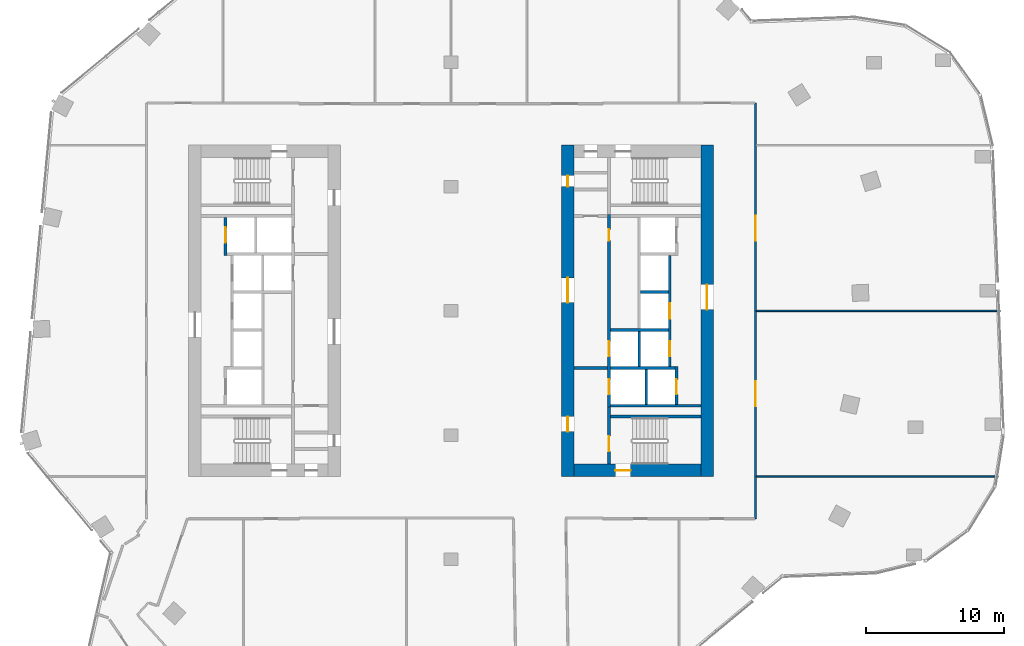
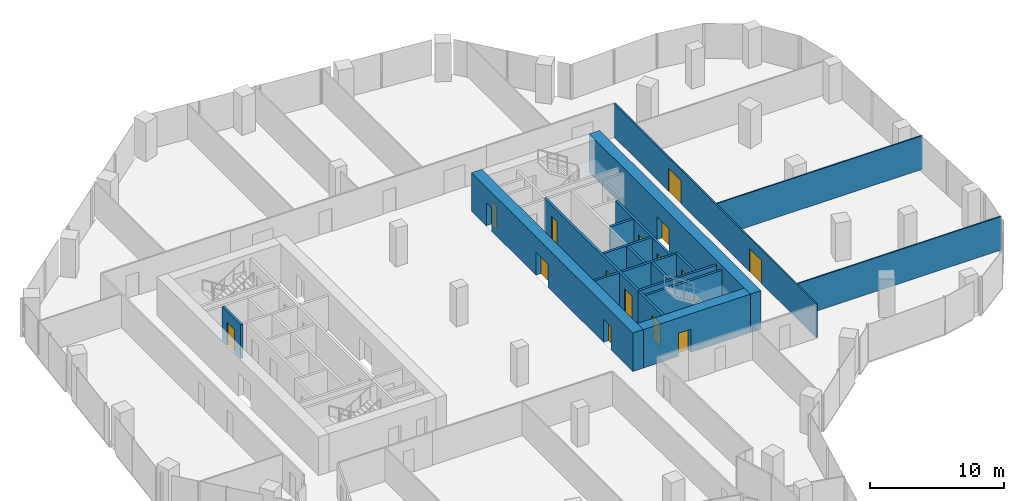
# One storey, part 21 of 24: 19 walls, 15 doors, 15 openings.
"""IFC4 building model written with IfcOpenShell, lengths in metres."""

from ifc_helpers import new_model, si_unit, direction, frame, frame_2d, origin, place, context, subcontext, project, spatial, rectangle, extrude, material, layer, layer_set, type_object, element, fill, save


model = new_model("IFC4")

# Units and contexts
model_context = context("Model", 3, precision=1e-05, world=origin(), true_north=direction((0.0, 1.0)))
body_context = subcontext(model_context, "Body", "Model", "MODEL_VIEW")
ifc_project = project(units=[si_unit("LENGTHUNIT", "METRE"), si_unit("AREAUNIT", "SQUARE_METRE"), si_unit("VOLUMEUNIT", "CUBIC_METRE"), si_unit("PLANEANGLEUNIT", "RADIAN"), si_unit("MASSUNIT", "GRAM", prefix="KILO")], contexts=[model_context])

# Site, building, storey
site_placement = place(None, origin())
site = spatial("IfcSite", under=ifc_project, at=site_placement, CompositionType="ELEMENT")
building_placement = place(site_placement, origin())
building = spatial("IfcBuilding", under=site, at=building_placement, Name="Orlundy Tower", CompositionType="ELEMENT")
storey_placement = place(building_placement, frame((0.0, 0.0, 177.60009765625)))
storey = spatial("IfcBuildingStorey", under=building, at=storey_placement, Name="L46", CompositionType="ELEMENT", Elevation=177.60009765625)

# Wall, opening, door
ifc_material_1 = material(Name="Concrete C70/85", Category="concrete")
ifc_layer_1 = layer(ifc_material_1, 0.89990234375)
ifc_layer_set_1 = layer_set([ifc_layer_1], Name="CORE WALL 900 C70/85")
wall_type_1 = type_object("IfcWallType", Name="CORE WALL 900 C70/85", PredefinedType="SHEAR", material=ifc_layer_set_1)
wall_1_placement = place(storey_placement, frame((8.89990234375, -11.550048828125, 0.0), z_axis=(0.0, 0.0, 1.0), x_axis=(1.0, 0.0, 0.0)))
wall_1 = element("IfcWall", 1, at=wall_1_placement, inside=storey, type_object=wall_type_1, Name="Core wall E-S L46", PredefinedType="SHEAR", context=body_context, shape_type="SweptSolid", body=[
    extrude(rectangle(XDim=9.2001953125, YDim=0.89990234375, at=frame_2d((4.60009765625, 0.0))), origin(), (0.0, 0.0, 1.0), 3.5),
])
opening_1_placement = place(wall_1_placement, frame((3.0, 0.0, 0.0)))
opening_1 = element("IfcOpeningElement", 2, at=opening_1_placement, cuts=wall_1, Name="Opening 35060", PredefinedType="OPENING", context=body_context, shape_type="SweptSolid", body=[
    extrude(rectangle(XDim=1.10009765625, YDim=2.10009765625, at=frame_2d((0.550048828125, 1.050048828125))), frame((0.0, 0.4599609375, 0.0), z_axis=(0.0, -1.0, 0.0), x_axis=(1.0, 0.0, 0.0)), (0.0, 0.0, 1.0), 0.919921875),
])
ifc_material_2 = material(Name="Steel door set", Category="steel")
door_type_1 = type_object("IfcDoorType", Name="Stair Door 1100x2100", OperationType="SINGLE_SWING_LEFT", PredefinedType="DOOR", material=ifc_material_2)
door_1_placement = place(opening_1_placement, origin())
door_1 = element("IfcDoor", 3, at=door_1_placement, inside=storey, type_object=door_type_1, Name="Stair door 35060", OperationType="SINGLE_SWING_LEFT", OverallHeight=2.10009765625, OverallWidth=1.10009765625, PredefinedType="DOOR", context=body_context, shape_type="SweptSolid", body=[
    extrude(rectangle(XDim=1.10009765625, YDim=2.10009765625, at=frame_2d((0.550048828125, 1.050048828125))), frame((0.0, 0.02490234375, 0.0), z_axis=(0.0, -1.0, 0.0), x_axis=(1.0, 0.0, 0.0)), (0.0, 0.0, 1.0), 0.050048828125),
])
fill(opening_1, door_1)

# Wall, openings, doors
wall_2_placement = place(storey_placement, frame((8.449951171875, -12.0, 0.0), z_axis=(0.0, 0.0, 1.0), x_axis=(0.0, 1.0, 0.0)))
wall_2 = element("IfcWall", 4, at=wall_2_placement, inside=storey, type_object=wall_type_1, Name="Core wall E-W L46", PredefinedType="SHEAR", context=body_context, shape_type="SweptSolid", body=[
    extrude(rectangle(XDim=24.0, YDim=0.89990234375, at=frame_2d((12.0, 0.0))), origin(), (0.0, 0.0, 1.0), 3.5),
])
opening_2_placement = place(wall_2_placement, frame((12.60009765625, 0.0, 0.0)))
opening_2 = element("IfcOpeningElement", 5, at=opening_2_placement, cuts=wall_2, Name="Opening 35057", PredefinedType="OPENING", context=body_context, shape_type="SweptSolid", body=[
    extrude(rectangle(XDim=1.800048828125, YDim=2.10009765625, at=frame_2d((0.89990234375, 1.050048828125))), frame((0.0, 0.4599609375, 0.0), z_axis=(0.0, -1.0, 0.0), x_axis=(1.0, 0.0, 0.0)), (0.0, 0.0, 1.0), 0.919921875),
])
opening_3_placement = place(wall_2_placement, frame((3.25, 0.0, 0.0)))
opening_3 = element("IfcOpeningElement", 6, at=opening_3_placement, cuts=wall_2, Name="Opening 35059", PredefinedType="OPENING", context=body_context, shape_type="SweptSolid", body=[
    extrude(rectangle(XDim=1.10009765625, YDim=2.10009765625, at=frame_2d((0.550048828125, 1.050048828125))), frame((0.0, 0.4599609375, 0.0), z_axis=(0.0, -1.0, 0.0), x_axis=(1.0, 0.0, 0.0)), (0.0, 0.0, 1.0), 0.919921875),
])
opening_4_placement = place(wall_2_placement, frame((21.0, 0.0, 0.0)))
opening_4 = element("IfcOpeningElement", 7, at=opening_4_placement, cuts=wall_2, Name="Opening 35064", PredefinedType="OPENING", context=body_context, shape_type="SweptSolid", body=[
    extrude(rectangle(XDim=0.800048828125, YDim=2.10009765625, at=frame_2d((0.39990234375, 1.050048828125))), frame((0.0, 0.4599609375, 0.0), z_axis=(0.0, -1.0, 0.0), x_axis=(1.0, 0.0, 0.0)), (0.0, 0.0, 1.0), 0.919921875),
])
ifc_material_3 = material(Name="Steel door set", Category="steel")
door_type_2 = type_object("IfcDoorType", Name="Fire-fighting Lobby Door 1100x2100", OperationType="SINGLE_SWING_LEFT", PredefinedType="DOOR", material=ifc_material_3)
door_2_placement = place(opening_3_placement, origin())
door_2 = element("IfcDoor", 8, at=door_2_placement, inside=storey, type_object=door_type_2, Name="Fire-fighting lobby door 35059", OperationType="SINGLE_SWING_LEFT", OverallHeight=2.10009765625, OverallWidth=1.10009765625, PredefinedType="DOOR", context=body_context, shape_type="SweptSolid", body=[
    extrude(rectangle(XDim=1.10009765625, YDim=2.10009765625, at=frame_2d((0.550048828125, 1.050048828125))), frame((0.0, 0.02490234375, 0.0), z_axis=(0.0, -1.0, 0.0), x_axis=(1.0, 0.0, 0.0)), (0.0, 0.0, 1.0), 0.050048828125),
])
fill(opening_3, door_2)
ifc_material_4 = material(Name="Timber door set", Category="wood")
door_type_3 = type_object("IfcDoorType", Name="Lobby Door 1800x2100", OperationType="DOUBLE_DOOR_DOUBLE_SWING", PredefinedType="DOOR", material=ifc_material_4)
door_3_placement = place(opening_2_placement, origin())
door_3 = element("IfcDoor", 9, at=door_3_placement, inside=storey, type_object=door_type_3, Name="Lift lobby door 35057", OperationType="SINGLE_SWING_RIGHT", OverallHeight=2.10009765625, OverallWidth=1.800048828125, PredefinedType="DOOR", context=body_context, shape_type="SweptSolid", body=[
    extrude(rectangle(XDim=1.800048828125, YDim=2.10009765625, at=frame_2d((0.89990234375, 1.050048828125))), frame((0.0, 0.02490234375, 0.0), z_axis=(0.0, -1.0, 0.0), x_axis=(1.0, 0.0, 0.0)), (0.0, 0.0, 1.0), 0.050048828125),
])
fill(opening_2, door_3)
ifc_material_5 = material(Name="Timber door set", Category="wood")
door_type_4 = type_object("IfcDoorType", Name="Riser Door 800x2100", OperationType="SINGLE_SWING_LEFT", PredefinedType="DOOR", material=ifc_material_5)
door_4_placement = place(opening_4_placement, origin())
door_4 = element("IfcDoor", 10, at=door_4_placement, inside=storey, type_object=door_type_4, Name="Door 35064", OperationType="SINGLE_SWING_RIGHT", OverallHeight=2.10009765625, OverallWidth=0.800048828125, PredefinedType="DOOR", context=body_context, shape_type="SweptSolid", body=[
    extrude(rectangle(XDim=0.800048828125, YDim=2.10009765625, at=frame_2d((0.39990234375, 1.050048828125))), frame((0.0, 0.02490234375, 0.0), z_axis=(0.0, -1.0, 0.0), x_axis=(1.0, 0.0, 0.0)), (0.0, 0.0, 1.0), 0.050048828125),
])
fill(opening_4, door_4)

# Wall, opening, door
wall_3_placement = place(storey_placement, frame((18.550048828125, -12.0, 0.0), z_axis=(0.0, 0.0, 1.0), x_axis=(0.0, 1.0, 0.0)))
wall_3 = element("IfcWall", 11, at=wall_3_placement, inside=storey, type_object=wall_type_1, Name="Core wall E-E L46", PredefinedType="SHEAR", context=body_context, shape_type="SweptSolid", body=[
    extrude(rectangle(XDim=24.0, YDim=0.89990234375, at=frame_2d((12.0, 0.0))), origin(), (0.0, 0.0, 1.0), 3.5),
])
opening_5_placement = place(wall_3_placement, frame((12.10009765625, 0.0, 0.0)))
opening_5 = element("IfcOpeningElement", 12, at=opening_5_placement, cuts=wall_3, Name="Opening 35058", PredefinedType="OPENING", context=body_context, shape_type="SweptSolid", body=[
    extrude(rectangle(XDim=1.800048828125, YDim=2.10009765625, at=frame_2d((0.89990234375, 1.050048828125))), frame((0.0, 0.4599609375, 0.0), z_axis=(0.0, -1.0, 0.0), x_axis=(1.0, 0.0, 0.0)), (0.0, 0.0, 1.0), 0.919921875),
])
door_5_placement = place(opening_5_placement, origin())
door_5 = element("IfcDoor", 13, at=door_5_placement, inside=storey, type_object=door_type_3, Name="Lift lobby door 35058", OperationType="SINGLE_SWING_RIGHT", OverallHeight=2.10009765625, OverallWidth=1.800048828125, PredefinedType="DOOR", context=body_context, shape_type="SweptSolid", body=[
    extrude(rectangle(XDim=1.800048828125, YDim=2.10009765625, at=frame_2d((0.89990234375, 1.050048828125))), frame((0.0, 0.02490234375, 0.0), z_axis=(0.0, -1.0, 0.0), x_axis=(1.0, 0.0, 0.0)), (0.0, 0.0, 1.0), 0.050048828125),
])
fill(opening_5, door_5)

# Walls
ifc_material_6 = material(Name="Gypsum board partition")
ifc_layer_2 = layer(ifc_material_6, 0.10009765625)
ifc_layer_set_2 = layer_set([ifc_layer_2], Name="Floor partition 100")
wall_type_2 = type_object("IfcWallType", Name="Floor partition 100", PredefinedType="PARTITIONING", material=ifc_layer_set_2)
wall_4_placement = place(storey_placement, frame((22.113037109375, -12.0, 0.0), z_axis=(0.0, 0.0, 1.0), x_axis=(1.0, 0.0, 0.0)))
element("IfcWall", 14, at=wall_4_placement, inside=storey, type_object=wall_type_2, Name="wall-int-L46-042", PredefinedType="PARTITIONING", context=body_context, shape_type="SweptSolid", body=[
    extrude(rectangle(XDim=17.530029296875, YDim=0.10009765625, at=frame_2d((8.76513671875, 0.0))), origin(), (0.0, 0.0, 1.0), 3.059814453125),
])
wall_5_placement = place(storey_placement, frame((22.113037109375, 0.0, 0.0), z_axis=(0.0, 0.0, 1.0), x_axis=(1.0, 0.0, 0.0)))
element("IfcWall", 15, at=wall_5_placement, inside=storey, type_object=wall_type_2, Name="wall-int-L46-043", PredefinedType="PARTITIONING", context=body_context, shape_type="SweptSolid", body=[
    extrude(rectangle(XDim=17.666015625, YDim=0.10009765625, at=frame_2d((8.8330078125, 0.0))), origin(), (0.0, 0.0, 1.0), 3.059814453125),
])

# Wall, openings, doors
ifc_material_7 = material(Name="Gypsum board partition, double layer")
ifc_layer_3 = layer(ifc_material_7, 0.125)
ifc_layer_set_3 = layer_set([ifc_layer_3], Name="Floor partition 125")
wall_type_3 = type_object("IfcWallType", Name="Floor partition 125", PredefinedType="PARTITIONING", material=ifc_layer_set_3)
wall_6_placement = place(storey_placement, frame((22.051025390625, 15.050048828125, 0.0), z_axis=(0.0, 0.0, 1.0), x_axis=(0.0, -1.0, 0.0)))
wall_6 = element("IfcWall", 16, at=wall_6_placement, inside=storey, type_object=wall_type_3, Name="wall-int-L46-070", PredefinedType="PARTITIONING", context=body_context, shape_type="SweptSolid", body=[
    extrude(rectangle(XDim=30.10009765625, YDim=0.125, at=frame_2d((15.050048828125, 0.0))), origin(), (0.0, 0.0, 1.0), 3.059814453125),
])
opening_6_placement = place(wall_6_placement, frame((20.14990234375, 0.0, 0.0)))
opening_6 = element("IfcOpeningElement", 17, at=opening_6_placement, cuts=wall_6, Name="Opening 35119", PredefinedType="OPENING", context=body_context, shape_type="SweptSolid", body=[
    extrude(rectangle(XDim=1.800048828125, YDim=2.10009765625, at=frame_2d((0.89990234375, 1.050048828125))), frame((0.0, 0.072509765625, 0.0), z_axis=(0.0, -1.0, 0.0), x_axis=(1.0, 0.0, 0.0)), (0.0, 0.0, 1.0), 0.14501953125),
])
opening_7_placement = place(wall_6_placement, frame((8.14990234375, 0.0, 0.0)))
opening_7 = element("IfcOpeningElement", 18, at=opening_7_placement, cuts=wall_6, Name="Opening 35120", PredefinedType="OPENING", context=body_context, shape_type="SweptSolid", body=[
    extrude(rectangle(XDim=1.800048828125, YDim=2.10009765625, at=frame_2d((0.89990234375, 1.050048828125))), frame((0.0, 0.072509765625, 0.0), z_axis=(0.0, -1.0, 0.0), x_axis=(1.0, 0.0, 0.0)), (0.0, 0.0, 1.0), 0.14501953125),
])
ifc_material_8 = material(Name="Timber door leaf", Category="wood")
door_type_5 = type_object("IfcDoorType", Name="Floor door double 1800 FD30S", OperationType="NOTDEFINED", PredefinedType="DOOR", material=ifc_material_8)
door_6_placement = place(opening_6_placement, origin())
door_6 = element("IfcDoor", 19, at=door_6_placement, inside=storey, type_object=door_type_5, Name="Door 35119", OperationType="DOUBLE_DOOR_SINGLE_SWING", OverallHeight=2.10009765625, OverallWidth=1.800048828125, PredefinedType="DOOR", context=body_context, shape_type="SweptSolid", body=[
    extrude(rectangle(XDim=1.800048828125, YDim=2.10009765625, at=frame_2d((0.89990234375, 1.050048828125))), frame((0.0, 0.02490234375, 0.0), z_axis=(0.0, -1.0, 0.0), x_axis=(1.0, 0.0, 0.0)), (0.0, 0.0, 1.0), 0.050048828125),
])
fill(opening_6, door_6)
door_7_placement = place(opening_7_placement, origin())
door_7 = element("IfcDoor", 20, at=door_7_placement, inside=storey, type_object=door_type_5, Name="Door 35120", OperationType="DOUBLE_DOOR_SINGLE_SWING", OverallHeight=2.10009765625, OverallWidth=1.800048828125, PredefinedType="DOOR", context=body_context, shape_type="SweptSolid", body=[
    extrude(rectangle(XDim=1.800048828125, YDim=2.10009765625, at=frame_2d((0.89990234375, 1.050048828125))), frame((0.0, 0.02490234375, 0.0), z_axis=(0.0, -1.0, 0.0), x_axis=(1.0, 0.0, 0.0)), (0.0, 0.0, 1.0), 0.050048828125),
])
fill(opening_7, door_7)

# Wall, opening, door
ifc_material_9 = material(Name="Concrete C40/50", Category="concrete")
ifc_layer_4 = layer(ifc_material_9, 0.199951171875)
ifc_layer_set_4 = layer_set([ifc_layer_4], Name="Load-bearing Shaft Wall 200")
wall_type_4 = type_object("IfcWallType", Name="Load-bearing Shaft Wall 200", PredefinedType="SOLIDWALL", material=ifc_layer_set_4)
wall_7_placement = place(storey_placement, frame((11.43994140625, -6.97509765625, 0.0), z_axis=(0.0, 0.0, 1.0), x_axis=(0.0, -1.0, 0.0)))
wall_7 = element("IfcWall", 21, at=wall_7_placement, inside=storey, type_object=wall_type_4, Name="Shaft wall E35-stair-end-n", PredefinedType="SOLIDWALL", context=body_context, shape_type="SweptSolid", body=[
    extrude(rectangle(XDim=4.125, YDim=0.199951171875, at=frame_2d((2.0625, 0.0))), origin(), (0.0, 0.0, 1.0), 3.079833984375),
])
opening_8_placement = place(wall_7_placement, frame((2.10009765625, 0.0, 0.0)))
opening_8 = element("IfcOpeningElement", 22, at=opening_8_placement, cuts=wall_7, Name="Opening 35062", PredefinedType="OPENING", context=body_context, shape_type="SweptSolid", body=[
    extrude(rectangle(XDim=1.10009765625, YDim=2.10009765625, at=frame_2d((0.550048828125, 1.050048828125))), frame((0.0, 0.110107421875, 0.0), z_axis=(0.0, -1.0, 0.0), x_axis=(1.0, 0.0, 0.0)), (0.0, 0.0, 1.0), 0.22021484375),
])
door_8_placement = place(opening_8_placement, origin())
door_8 = element("IfcDoor", 23, at=door_8_placement, inside=storey, type_object=door_type_2, Name="Fire-fighting lobby to stair door 35062", OperationType="SINGLE_SWING_RIGHT", OverallHeight=2.10009765625, OverallWidth=1.10009765625, PredefinedType="DOOR", context=body_context, shape_type="SweptSolid", body=[
    extrude(rectangle(XDim=1.10009765625, YDim=2.10009765625, at=frame_2d((0.550048828125, 1.050048828125))), frame((0.0, 0.02490234375, 0.0), z_axis=(0.0, -1.0, 0.0), x_axis=(1.0, 0.0, 0.0)), (0.0, 0.0, 1.0), 0.050048828125),
])
fill(opening_8, door_8)

# Walls
wall_8_placement = place(storey_placement, frame((11.5400390625, -7.64990234375, 0.0), z_axis=(0.0, 0.0, 1.0), x_axis=(1.0, 0.0, 0.0)))
element("IfcWall", 24, at=wall_8_placement, inside=storey, type_object=wall_type_4, Name="Shaft wall E35-stair-side-n", PredefinedType="SOLIDWALL", context=body_context, shape_type="SweptSolid", body=[
    extrude(rectangle(XDim=6.56005859375, YDim=0.199951171875, at=frame_2d((3.280029296875, 0.0))), origin(), (0.0, 0.0, 1.0), 3.079833984375),
])
ifc_material_10 = material(Name="Gypsum board partition on steel studs", Category="steel")
ifc_layer_5 = layer(ifc_material_10, 0.199951171875)
ifc_layer_set_5 = layer_set([ifc_layer_5], Name="Partition 200")
wall_type_5 = type_object("IfcWallType", Name="Partition 200", PredefinedType="PARTITIONING", material=ifc_layer_set_5)
wall_9_placement = place(storey_placement, frame((8.89990234375, -4.125, 0.0), z_axis=(0.0, 0.0, 1.0), x_axis=(1.0, 0.0, 0.0)))
element("IfcWall", 25, at=wall_9_placement, inside=storey, type_object=wall_type_5, Name="Partition wall E35-lobby-n", PredefinedType="PARTITIONING", context=body_context, shape_type="SweptSolid", body=[
    extrude(rectangle(XDim=2.440185546875, YDim=0.199951171875, at=frame_2d((1.22021484375, 0.0))), origin(), (0.0, 0.0, 1.0), 3.079833984375),
])

# Wall, opening, door
ifc_material_11 = material(Name="Fire-rated blockwork shaft wall", Category="masonry")
ifc_layer_6 = layer(ifc_material_11, 0.199951171875)
ifc_layer_set_6 = layer_set([ifc_layer_6], Name="Shaft Wall 200")
wall_type_6 = type_object("IfcWallType", Name="Shaft Wall 200", PredefinedType="SOLIDWALL", material=ifc_layer_set_6)
wall_10_placement = place(storey_placement, frame((-16.340087890625, 4.02490234375, 0.0), z_axis=(0.0, 0.0, 1.0), x_axis=(0.0, 1.0, 0.0)))
wall_10 = element("IfcWall", 26, at=wall_10_placement, inside=storey, type_object=wall_type_6, Name="Shaft wall W35-front-o-c", PredefinedType="SOLIDWALL", context=body_context, shape_type="SweptSolid", body=[
    extrude(rectangle(XDim=2.75, YDim=0.199951171875, at=frame_2d((1.375, 0.0))), origin(), (0.0, 0.0, 1.0), 3.079833984375),
])
opening_9_placement = place(wall_10_placement, frame((0.925048828125, 0.0, 0.0)))
opening_9 = element("IfcOpeningElement", 27, at=opening_9_placement, cuts=wall_10, Name="Opening 35006", PredefinedType="OPENING", context=body_context, shape_type="SweptSolid", body=[
    extrude(rectangle(XDim=1.10009765625, YDim=2.10009765625, at=frame_2d((0.550048828125, 1.050048828125))), frame((0.0, 0.110107421875, 0.0), z_axis=(0.0, -1.0, 0.0), x_axis=(1.0, 0.0, 0.0)), (0.0, 0.0, 1.0), 0.22021484375),
])
ifc_material_12 = material(Name="Steel door set", Category="steel")
door_type_6 = type_object("IfcDoorType", Name="Landing Door 1100x2100", OperationType="DOUBLE_DOOR_SLIDING", PredefinedType="DOOR", material=ifc_material_12)
door_9_placement = place(opening_9_placement, origin())
door_9 = element("IfcDoor", 28, at=door_9_placement, inside=storey, type_object=door_type_6, Name="Lift landing door LP-14 35006", OperationType="DOUBLE_DOOR_SLIDING", OverallHeight=2.10009765625, OverallWidth=1.10009765625, PredefinedType="DOOR", context=body_context, shape_type="SweptSolid", body=[
    extrude(rectangle(XDim=1.10009765625, YDim=2.10009765625, at=frame_2d((0.550048828125, 1.050048828125))), frame((0.0, 0.02490234375, 0.0), z_axis=(0.0, -1.0, 0.0), x_axis=(1.0, 0.0, 0.0)), (0.0, 0.0, 1.0), 0.050048828125),
])
fill(opening_9, door_9)

# Walls
wall_11_placement = place(storey_placement, frame((11.5400390625, -6.875, 0.0), z_axis=(0.0, 0.0, 1.0), x_axis=(1.0, 0.0, 0.0)))
element("IfcWall", 29, at=wall_11_placement, inside=storey, type_object=wall_type_6, Name="Shaft wall E35-zone-n", PredefinedType="SOLIDWALL", context=body_context, shape_type="SweptSolid", body=[
    extrude(rectangle(XDim=6.56005859375, YDim=0.199951171875, at=frame_2d((3.280029296875, 0.0))), origin(), (0.0, 0.0, 1.0), 3.079833984375),
])
wall_12_placement = place(storey_placement, frame((13.739990234375, 1.375, 0.0), z_axis=(0.0, 0.0, 1.0), x_axis=(1.0, 0.0, 0.0)))
element("IfcWall", 30, at=wall_12_placement, inside=storey, type_object=wall_type_6, Name="Shaft wall E35-cross-1.375", PredefinedType="SOLIDWALL", context=body_context, shape_type="SweptSolid", body=[
    extrude(rectangle(XDim=2.0, YDim=0.199951171875, at=frame_2d((1.0, 0.0))), origin(), (0.0, 0.0, 1.0), 3.079833984375),
])
wall_13_placement = place(storey_placement, frame((11.5400390625, -1.375, 0.0), z_axis=(0.0, 0.0, 1.0), x_axis=(1.0, 0.0, 0.0)))
element("IfcWall", 31, at=wall_13_placement, inside=storey, type_object=wall_type_6, Name="Shaft wall E35-cross+1.375", PredefinedType="SOLIDWALL", context=body_context, shape_type="SweptSolid", body=[
    extrude(rectangle(XDim=4.199951171875, YDim=0.199951171875, at=frame_2d((2.10009765625, 0.0))), origin(), (0.0, 0.0, 1.0), 3.079833984375),
])
wall_14_placement = place(storey_placement, frame((11.5400390625, -4.125, 0.0), z_axis=(0.0, 0.0, 1.0), x_axis=(1.0, 0.0, 0.0)))
element("IfcWall", 32, at=wall_14_placement, inside=storey, type_object=wall_type_6, Name="Shaft wall E35-cross+4.125", PredefinedType="SOLIDWALL", context=body_context, shape_type="SweptSolid", body=[
    extrude(rectangle(XDim=4.699951171875, YDim=0.199951171875, at=frame_2d((2.35009765625, 0.0))), origin(), (0.0, 0.0, 1.0), 3.079833984375),
])

# Wall, openings, doors
wall_15_placement = place(storey_placement, frame((11.43994140625, 6.97509765625, 0.0), z_axis=(0.0, 0.0, 1.0), x_axis=(0.0, -1.0, 0.0)))
wall_15 = element("IfcWall", 33, at=wall_15_placement, inside=storey, type_object=wall_type_6, Name="Shaft wall E35-front-h", PredefinedType="SOLIDWALL", context=body_context, shape_type="SweptSolid", body=[
    extrude(rectangle(XDim=13.9501953125, YDim=0.199951171875, at=frame_2d((6.97509765625, 0.0))), origin(), (0.0, 0.0, 1.0), 3.079833984375),
])
opening_10_placement = place(wall_15_placement, frame((9.175048828125, 0.0, 0.0)))
opening_10 = element("IfcOpeningElement", 34, at=opening_10_placement, cuts=wall_15, Name="Opening 35052", PredefinedType="OPENING", context=body_context, shape_type="SweptSolid", body=[
    extrude(rectangle(XDim=1.10009765625, YDim=2.10009765625, at=frame_2d((0.550048828125, 1.050048828125))), frame((0.0, 0.110107421875, 0.0), z_axis=(0.0, -1.0, 0.0), x_axis=(1.0, 0.0, 0.0)), (0.0, 0.0, 1.0), 0.22021484375),
])
opening_11_placement = place(wall_15_placement, frame((11.925048828125, 0.0, 0.0)))
opening_11 = element("IfcOpeningElement", 35, at=opening_11_placement, cuts=wall_15, Name="Opening 35054", PredefinedType="OPENING", context=body_context, shape_type="SweptSolid", body=[
    extrude(rectangle(XDim=1.10009765625, YDim=2.10009765625, at=frame_2d((0.550048828125, 1.050048828125))), frame((0.0, 0.110107421875, 0.0), z_axis=(0.0, -1.0, 0.0), x_axis=(1.0, 0.0, 0.0)), (0.0, 0.0, 1.0), 0.22021484375),
])
opening_12_placement = place(wall_15_placement, frame((1.074951171875, 0.0, 0.0)))
opening_12 = element("IfcOpeningElement", 36, at=opening_12_placement, cuts=wall_15, Name="Opening 35056", PredefinedType="OPENING", context=body_context, shape_type="SweptSolid", body=[
    extrude(rectangle(XDim=0.800048828125, YDim=2.10009765625, at=frame_2d((0.39990234375, 1.050048828125))), frame((0.0, 0.110107421875, 0.0), z_axis=(0.0, -1.0, 0.0), x_axis=(1.0, 0.0, 0.0)), (0.0, 0.0, 1.0), 0.22021484375),
])
door_10_placement = place(opening_10_placement, origin())
door_10 = element("IfcDoor", 37, at=door_10_placement, inside=storey, type_object=door_type_6, Name="Lift landing door LP-16 35052", OperationType="DOUBLE_DOOR_SLIDING", OverallHeight=2.10009765625, OverallWidth=1.10009765625, PredefinedType="DOOR", context=body_context, shape_type="SweptSolid", body=[
    extrude(rectangle(XDim=1.10009765625, YDim=2.10009765625, at=frame_2d((0.550048828125, 1.050048828125))), frame((0.0, 0.02490234375, 0.0), z_axis=(0.0, -1.0, 0.0), x_axis=(1.0, 0.0, 0.0)), (0.0, 0.0, 1.0), 0.050048828125),
])
fill(opening_10, door_10)
door_11_placement = place(opening_11_placement, origin())
door_11 = element("IfcDoor", 38, at=door_11_placement, inside=storey, type_object=door_type_6, Name="Lift landing door FL2 35054", OperationType="DOUBLE_DOOR_SLIDING", OverallHeight=2.10009765625, OverallWidth=1.10009765625, PredefinedType="DOOR", context=body_context, shape_type="SweptSolid", body=[
    extrude(rectangle(XDim=1.10009765625, YDim=2.10009765625, at=frame_2d((0.550048828125, 1.050048828125))), frame((0.0, 0.02490234375, 0.0), z_axis=(0.0, -1.0, 0.0), x_axis=(1.0, 0.0, 0.0)), (0.0, 0.0, 1.0), 0.050048828125),
])
fill(opening_11, door_11)
door_12_placement = place(opening_12_placement, origin())
door_12 = element("IfcDoor", 39, at=door_12_placement, inside=storey, type_object=door_type_4, Name="Telecom Room door 35056", OperationType="SINGLE_SWING_LEFT", OverallHeight=2.10009765625, OverallWidth=0.800048828125, PredefinedType="DOOR", context=body_context, shape_type="SweptSolid", body=[
    extrude(rectangle(XDim=0.800048828125, YDim=2.10009765625, at=frame_2d((0.39990234375, 1.050048828125))), frame((0.0, 0.02490234375, 0.0), z_axis=(0.0, -1.0, 0.0), x_axis=(1.0, 0.0, 0.0)), (0.0, 0.0, 1.0), 0.050048828125),
])
fill(opening_12, door_12)

# Walls
for number, where, z_axis, x_axis, name in (
    (40, (13.639892578125, -1.47509765625, 0.0), (0.0, 0.0, 1.0), (0.0, -1.0, 0.0), "Shaft wall E35-mid-a.1"),
    (41, (14.139892578125, -4.22509765625, 0.0), (0.0, 0.0, 1.0), (0.0, -1.0, 0.0), "Shaft wall E35-mid-b"),
):
    element("IfcWall", number, at=place(storey_placement, frame(where, z_axis=z_axis, x_axis=x_axis)), inside=storey, type_object=wall_type_6, Name=name, PredefinedType="SOLIDWALL", context=body_context, shape_type="SweptSolid", body=[
        extrude(rectangle(XDim=2.5498046875, YDim=0.199951171875, at=frame_2d((1.27490234375, 0.0))), origin(), (0.0, 0.0, 1.0), 3.079833984375),
    ])

# Wall, openings, doors
wall_16_placement = place(storey_placement, frame((15.840087890625, 4.02490234375, 0.0), z_axis=(0.0, 0.0, 1.0), x_axis=(0.0, -1.0, 0.0)))
wall_16 = element("IfcWall", 42, at=wall_16_placement, inside=storey, type_object=wall_type_6, Name="Shaft wall E35-front-o-b", PredefinedType="SOLIDWALL", context=body_context, shape_type="SweptSolid", body=[
    extrude(rectangle(XDim=8.0498046875, YDim=0.199951171875, at=frame_2d((4.02490234375, 0.0))), origin(), (0.0, 0.0, 1.0), 3.079833984375),
])
opening_13_placement = place(wall_16_placement, frame((3.47509765625, 0.0, 0.0)))
opening_13 = element("IfcOpeningElement", 43, at=opening_13_placement, cuts=wall_16, Name="Opening 35051", PredefinedType="OPENING", context=body_context, shape_type="SweptSolid", body=[
    extrude(rectangle(XDim=1.10009765625, YDim=2.10009765625, at=frame_2d((0.550048828125, 1.050048828125))), frame((0.0, 0.110107421875, 0.0), z_axis=(0.0, -1.0, 0.0), x_axis=(1.0, 0.0, 0.0)), (0.0, 0.0, 1.0), 0.22021484375),
])
opening_14_placement = place(wall_16_placement, frame((6.22509765625, 0.0, 0.0)))
opening_14 = element("IfcOpeningElement", 44, at=opening_14_placement, cuts=wall_16, Name="Opening 35053", PredefinedType="OPENING", context=body_context, shape_type="SweptSolid", body=[
    extrude(rectangle(XDim=1.10009765625, YDim=2.10009765625, at=frame_2d((0.550048828125, 1.050048828125))), frame((0.0, 0.110107421875, 0.0), z_axis=(0.0, -1.0, 0.0), x_axis=(1.0, 0.0, 0.0)), (0.0, 0.0, 1.0), 0.22021484375),
])
door_13_placement = place(opening_13_placement, origin())
door_13 = element("IfcDoor", 45, at=door_13_placement, inside=storey, type_object=door_type_6, Name="Lift landing door LP-15 35051", OperationType="DOUBLE_DOOR_SLIDING", OverallHeight=2.10009765625, OverallWidth=1.10009765625, PredefinedType="DOOR", context=body_context, shape_type="SweptSolid", body=[
    extrude(rectangle(XDim=1.10009765625, YDim=2.10009765625, at=frame_2d((0.550048828125, 1.050048828125))), frame((0.0, 0.02490234375, 0.0), z_axis=(0.0, -1.0, 0.0), x_axis=(1.0, 0.0, 0.0)), (0.0, 0.0, 1.0), 0.050048828125),
])
fill(opening_13, door_13)
door_14_placement = place(opening_14_placement, origin())
door_14 = element("IfcDoor", 46, at=door_14_placement, inside=storey, type_object=door_type_6, Name="Lift landing door LP-17 35053", OperationType="DOUBLE_DOOR_SLIDING", OverallHeight=2.10009765625, OverallWidth=1.10009765625, PredefinedType="DOOR", context=body_context, shape_type="SweptSolid", body=[
    extrude(rectangle(XDim=1.10009765625, YDim=2.10009765625, at=frame_2d((0.550048828125, 1.050048828125))), frame((0.0, 0.02490234375, 0.0), z_axis=(0.0, -1.0, 0.0), x_axis=(1.0, 0.0, 0.0)), (0.0, 0.0, 1.0), 0.050048828125),
])
fill(opening_14, door_14)

# Wall, opening, door
wall_17_placement = place(storey_placement, frame((16.340087890625, -4.02490234375, 0.0), z_axis=(0.0, 0.0, 1.0), x_axis=(0.0, -1.0, 0.0)))
wall_17 = element("IfcWall", 47, at=wall_17_placement, inside=storey, type_object=wall_type_6, Name="Shaft wall E35-front-o-c", PredefinedType="SOLIDWALL", context=body_context, shape_type="SweptSolid", body=[
    extrude(rectangle(XDim=2.75, YDim=0.199951171875, at=frame_2d((1.375, 0.0))), origin(), (0.0, 0.0, 1.0), 3.079833984375),
])
opening_15_placement = place(wall_17_placement, frame((0.925048828125, 0.0, 0.0)))
opening_15 = element("IfcOpeningElement", 48, at=opening_15_placement, cuts=wall_17, Name="Opening 35055", PredefinedType="OPENING", context=body_context, shape_type="SweptSolid", body=[
    extrude(rectangle(XDim=1.10009765625, YDim=2.10009765625, at=frame_2d((0.550048828125, 1.050048828125))), frame((0.0, 0.110107421875, 0.0), z_axis=(0.0, -1.0, 0.0), x_axis=(1.0, 0.0, 0.0)), (0.0, 0.0, 1.0), 0.22021484375),
])
door_15_placement = place(opening_15_placement, origin())
door_15 = element("IfcDoor", 49, at=door_15_placement, inside=storey, type_object=door_type_6, Name="Lift landing door LP-18 35055", OperationType="DOUBLE_DOOR_SLIDING", OverallHeight=2.10009765625, OverallWidth=1.10009765625, PredefinedType="DOOR", context=body_context, shape_type="SweptSolid", body=[
    extrude(rectangle(XDim=1.10009765625, YDim=2.10009765625, at=frame_2d((0.550048828125, 1.050048828125))), frame((0.0, 0.02490234375, 0.0), z_axis=(0.0, -1.0, 0.0), x_axis=(1.0, 0.0, 0.0)), (0.0, 0.0, 1.0), 0.050048828125),
])
fill(opening_15, door_15)

save(model, "model.ifc")
